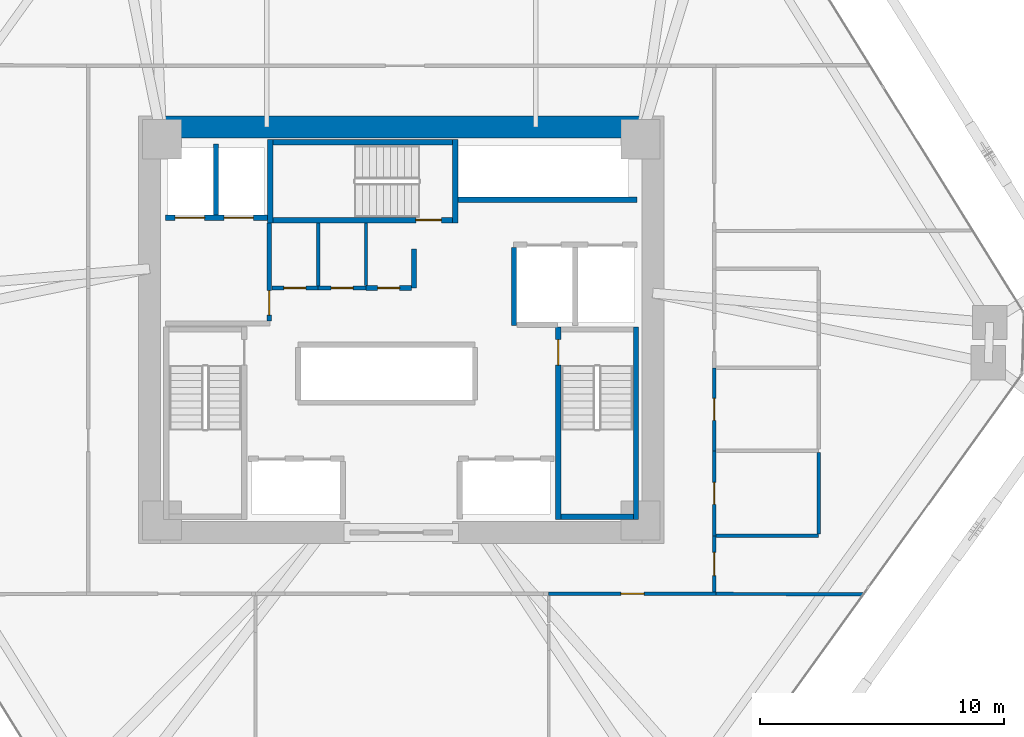
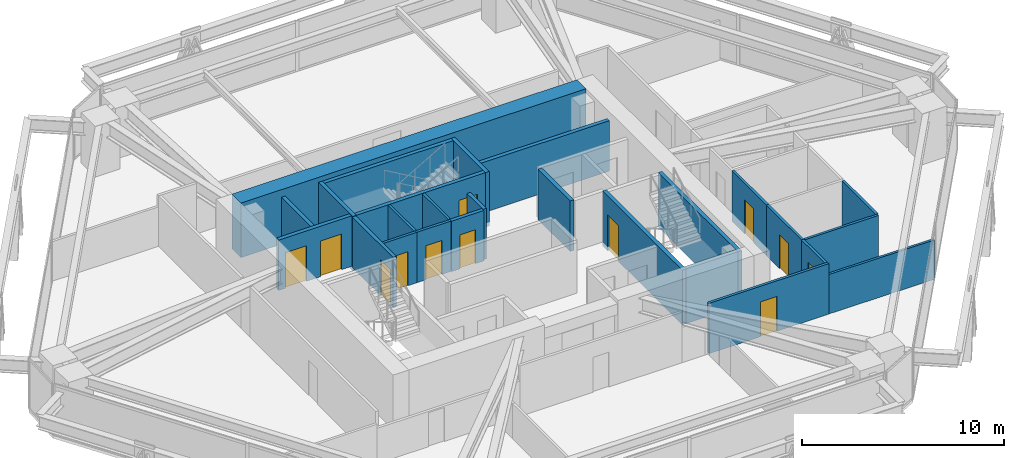
# One storey, part 14 of 16: 26 walls, 12 doors, 12 openings.
"""IFC4 building model written with IfcOpenShell, lengths in metres."""

from ifc_helpers import new_model, si_unit, direction, frame, frame_2d, origin, place, context, subcontext, project, spatial, rectangle, extrude, source, transform, mapped, material, layer, layer_set, type_object, type_shapes, element, fill, save


model = new_model("IFC4")

# Units and contexts
model_context = context("Model", 3, precision=1e-05, world=origin(), true_north=direction((0.0, 1.0)))
body_context = subcontext(model_context, "Body", "Model", "MODEL_VIEW")
ifc_project = project(units=[si_unit("LENGTHUNIT", "METRE"), si_unit("AREAUNIT", "SQUARE_METRE"), si_unit("VOLUMEUNIT", "CUBIC_METRE"), si_unit("PLANEANGLEUNIT", "RADIAN"), si_unit("MASSUNIT", "GRAM", prefix="KILO")], contexts=[model_context])

# Site, building, storey
site_placement = place(None, origin())
site = spatial("IfcSite", under=ifc_project, at=site_placement, CompositionType="ELEMENT")
building_placement = place(site_placement, origin())
building = spatial("IfcBuilding", under=site, at=building_placement, Name="Durnholm Broadcast Tower", CompositionType="ELEMENT")
storey_placement = place(building_placement, frame((0.0, 0.0, 65.39990234375)))
storey = spatial("IfcBuildingStorey", under=building, at=storey_placement, Name="L16", CompositionType="ELEMENT", Elevation=65.39990234375)

# Wall
ifc_material_1 = material(Name="Concrete C70/85", Category="concrete")
ifc_layer_1 = layer(ifc_material_1, 0.89990234375)
ifc_layer_set_1 = layer_set([ifc_layer_1], Name="Concrete C70/85")
wall_type_1 = type_object("IfcWallType", Name="WALL-CW-900", PredefinedType="SHEAR", material=ifc_layer_set_1)
wall_1_placement = place(storey_placement, frame((-9.85009765625, 8.300048828125, 0.0), z_axis=(0.0, 0.0, 1.0), x_axis=(1.0, 0.0, 0.0)))
element("IfcWall", 1, at=wall_1_placement, inside=storey, type_object=wall_type_1, Name="L16 central core shear wall CW-N", PredefinedType="SHEAR", context=body_context, shape_type="SweptSolid", body=[
    extrude(rectangle(XDim=19.7001953125, YDim=0.89990234375, at=frame_2d((9.85009765625, 0.0))), origin(), (0.0, 0.0, 1.0), 3.300048828125),
])

# Wall, opening, door
ifc_material_2 = material(Name="Fire-Rated Gypsum Shaftwall", Category="concrete")
ifc_layer_2 = layer(ifc_material_2, 0.199951171875)
ifc_layer_set_2 = layer_set([ifc_layer_2], Name="Fire-Rated Gypsum Shaftwall")
wall_type_2 = type_object("IfcWallType", Name="WALL-LOB-200", PredefinedType="SOLIDWALL", material=ifc_layer_set_2)
wall_2_placement = place(storey_placement, frame((-5.39990234375, 0.35400390625, 0.0), z_axis=(0.0, 0.0, 1.0), x_axis=(0.0, 1.0, 0.0)))
wall_2 = element("IfcWall", 2, at=wall_2_placement, inside=storey, type_object=wall_type_2, Name="L16 Fire Service Access Elevator lobby east fire wall", PredefinedType="SOLIDWALL", context=body_context, shape_type="SweptSolid", body=[
    extrude(rectangle(XDim=4.02587890625, YDim=0.199951171875, at=frame_2d((2.012939453125, 0.0))), origin(), (0.0, 0.0, 1.0), 3.045166015625),
])
opening_1_placement = place(wall_2_placement, frame((0.24609375, 0.0, 0.0)))
opening_1 = element("IfcOpeningElement", 3, at=opening_1_placement, cuts=wall_2, Name="Opening DL-60L", PredefinedType="OPENING", context=body_context, shape_type="SweptSolid", body=[
    extrude(rectangle(XDim=1.0, YDim=2.14990234375, at=frame_2d((0.5, 1.074951171875))), frame((0.0, 0.10986328125, 0.0), z_axis=(0.0, -1.0, 0.0), x_axis=(1.0, 0.0, 0.0)), (0.0, 0.0, 1.0), 0.219970703125),
])
ifc_material_3 = material(Name="Fire-Rated Timber/Steel Door", Category="steel")
ifc_layer_3 = layer(ifc_material_3, 0.050048828125)
ifc_layer_set_3 = layer_set([ifc_layer_3], Name="Fire-Rated Timber/Steel Door")
door_type_1 = type_object("IfcDoorType", Name="DOOR-LOB-FD60-L", OperationType="NOTDEFINED", PredefinedType="DOOR", material=ifc_layer_set_3)
shared_shape_1 = source(origin(), body_context, "Body", "SweptSolid", [
    extrude(rectangle(XDim=1.0, YDim=2.14990234375, at=frame_2d((0.5, 1.074951171875))), frame((0.0, 0.02490234375, 0.0), z_axis=(0.0, -1.0, 0.0), x_axis=(1.0, 0.0, 0.0)), (0.0, 0.0, 1.0), 0.050048828125),
])
type_shapes(door_type_1, [shared_shape_1])
door_1_placement = place(opening_1_placement, origin())
door_1 = element("IfcDoor", 4, at=door_1_placement, inside=storey, type_object=door_type_1, Name="L16 Fire Service Access Elevator lobby smoke door", OperationType="SINGLE_SWING_LEFT", OverallHeight=2.14990234375, OverallWidth=1.0, PredefinedType="DOOR", context=body_context, shape_type="MappedRepresentation", body=[
    mapped(shared_shape_1, transform((0.0, 0.0, 0.0), x_axis=(1.0, 0.0, 0.0), y_axis=(0.0, 1.0, 0.0), z_axis=(0.0, 0.0, 1.0), scale=1.0)),
])
fill(opening_1, door_1)

# Wall
wall_3_placement = place(storey_placement, frame((0.52001953125, 3.300048828125, 0.0), z_axis=(0.0, 0.0, 1.0), x_axis=(0.0, -1.0, 0.0)))
element("IfcWall", 5, at=wall_3_placement, inside=storey, type_object=wall_type_2, Name="L16 Core Telecom Patch Room corridor partition", PredefinedType="SOLIDWALL", context=body_context, shape_type="SweptSolid", body=[
    extrude(rectangle(XDim=1.590087890625, YDim=0.199951171875, at=frame_2d((0.794921875, 0.0))), origin(), (0.0, 0.0, 1.0), 3.045166015625),
])

# Wall, opening, door
wall_4_placement = place(storey_placement, frame((0.416015625, 1.7099609375, 0.0), z_axis=(0.0, 0.0, 1.0), x_axis=(-1.0, 0.0, 0.0)))
wall_4 = element("IfcWall", 6, at=wall_4_placement, inside=storey, type_object=wall_type_2, Name="L16 Core Telecom Patch Room corridor partition", PredefinedType="SOLIDWALL", context=body_context, shape_type="SweptSolid", body=[
    extrude(rectangle(XDim=1.85595703125, YDim=0.199951171875, at=frame_2d((0.927978515625, 0.0))), origin(), (0.0, 0.0, 1.0), 3.045166015625),
])
opening_2_placement = place(wall_4_placement, frame((0.47802734375, 0.0, 0.0)))
opening_2 = element("IfcOpeningElement", 7, at=opening_2_placement, cuts=wall_4, Name="Opening DC-60L", PredefinedType="OPENING", context=body_context, shape_type="SweptSolid", body=[
    extrude(rectangle(XDim=0.89990234375, YDim=2.050048828125, at=frame_2d((0.449951171875, 1.02490234375))), frame((0.0, 0.10986328125, 0.0), z_axis=(0.0, -1.0, 0.0), x_axis=(1.0, 0.0, 0.0)), (0.0, 0.0, 1.0), 0.219970703125),
])
ifc_material_4 = material(Name="Fire-Rated Core Service Door", Category="steel")
ifc_layer_4 = layer(ifc_material_4, 0.050048828125)
ifc_layer_set_4 = layer_set([ifc_layer_4], Name="Fire-Rated Core Service Door")
door_type_2 = type_object("IfcDoorType", Name="DOOR-CORE-FD60-L", OperationType="NOTDEFINED", PredefinedType="DOOR", material=ifc_layer_set_4)
shared_shape_2 = source(origin(), body_context, "Body", "SweptSolid", [
    extrude(rectangle(XDim=0.89990234375, YDim=2.050048828125, at=frame_2d((0.449951171875, 1.02490234375))), frame((0.0, 0.02490234375, 0.0), z_axis=(0.0, -1.0, 0.0), x_axis=(1.0, 0.0, 0.0)), (0.0, 0.0, 1.0), 0.050048828125),
])
type_shapes(door_type_2, [shared_shape_2])
door_2_placement = place(opening_2_placement, origin())
door_2 = element("IfcDoor", 8, at=door_2_placement, inside=storey, type_object=door_type_2, Name="L16 Core Telecom Patch Room entrance door", OperationType="SINGLE_SWING_LEFT", OverallHeight=2.050048828125, OverallWidth=0.89990234375, PredefinedType="DOOR", context=body_context, shape_type="MappedRepresentation", body=[
    mapped(shared_shape_2, transform((0.0, 0.0, 0.0), x_axis=(1.0, 0.0, 0.0), y_axis=(0.0, 1.0, 0.0), z_axis=(0.0, 0.0, 1.0), scale=1.0)),
])
fill(opening_2, door_2)

# Walls
ifc_material_5 = material(Name="Gypsum Metal Stud Partition", Category="concrete")
ifc_layer_5 = layer(ifc_material_5, 0.135009765625)
ifc_layer_set_5 = layer_set([ifc_layer_5], Name="Gypsum Metal Stud Partition")
wall_type_3 = type_object("IfcWallType", Name="WALL-PART-135", PredefinedType="PARTITIONING", material=ifc_layer_set_5)
wall_5_placement = place(storey_placement, frame((-3.39990234375, 4.375, 0.0), z_axis=(0.0, 0.0, 1.0), x_axis=(0.0, -1.0, 0.0)))
element("IfcWall", 9, at=wall_5_placement, inside=storey, type_object=wall_type_3, Name="L16 room dividing partition 1.2", PredefinedType="PARTITIONING", context=body_context, shape_type="SweptSolid", body=[
    extrude(rectangle(XDim=2.5859375, YDim=0.135009765625, at=frame_2d((1.29296875, 0.0))), origin(), (0.0, 0.0, 1.0), 3.045166015625),
])
wall_6_placement = place(storey_placement, frame((-1.43994140625, 4.375, 0.0), z_axis=(0.0, 0.0, 1.0), x_axis=(0.0, -1.0, 0.0)))
element("IfcWall", 10, at=wall_6_placement, inside=storey, type_object=wall_type_3, Name="L16 room dividing partition 2.3", PredefinedType="PARTITIONING", context=body_context, shape_type="SweptSolid", body=[
    extrude(rectangle(XDim=2.56103515625, YDim=0.135009765625, at=frame_2d((1.280517578125, 0.0))), origin(), (0.0, 0.0, 1.0), 3.045166015625),
])
wall_7_placement = place(storey_placement, frame((12.889892578125, -10.810302734375, 0.0), z_axis=(0.0, 0.0, 1.0), x_axis=(0.999992607823, -0.003845035728, 0.0)))
element("IfcWall", 11, at=wall_7_placement, inside=storey, type_object=wall_type_3, Name="L16 room dividing partition 10.12", PredefinedType="PARTITIONING", context=body_context, shape_type="SweptSolid", body=[
    extrude(rectangle(XDim=6.031982421875, YDim=0.135009765625, at=frame_2d((3.01611328125, 0.0))), origin(), (0.0, 0.0, 1.0), 2.380126953125),
])

# Wall, opening, door
ifc_material_6 = material(Name="Acoustic Gypsum Stud Partition", Category="concrete")
ifc_layer_6 = layer(ifc_material_6, 0.14990234375)
ifc_layer_set_6 = layer_set([ifc_layer_6], Name="Acoustic Gypsum Stud Partition")
wall_type_4 = type_object("IfcWallType", Name="WALL-PART-150", PredefinedType="PARTITIONING", material=ifc_layer_set_6)
wall_8_placement = place(storey_placement, frame((-3.39990234375, 1.7099609375, 0.0), z_axis=(0.0, 0.0, 1.0), x_axis=(-1.0, 0.0, 0.0)))
wall_8 = element("IfcWall", 12, at=wall_8_placement, inside=storey, type_object=wall_type_4, Name="L16 Core Copy and Print Closet corridor partition", PredefinedType="PARTITIONING", context=body_context, shape_type="SweptSolid", body=[
    extrude(rectangle(XDim=1.89599609375, YDim=0.14990234375, at=frame_2d((0.947998046875, 0.0))), origin(), (0.0, 0.0, 1.0), 3.045166015625),
])
opening_3_placement = place(wall_8_placement, frame((0.498046875, 0.0, 0.0)))
opening_3 = element("IfcOpeningElement", 13, at=opening_3_placement, cuts=wall_8, Name="Opening DC-60L", PredefinedType="OPENING", context=body_context, shape_type="SweptSolid", body=[
    extrude(rectangle(XDim=0.89990234375, YDim=2.050048828125, at=frame_2d((0.449951171875, 1.02490234375))), frame((0.0, 0.0849609375, 0.0), z_axis=(0.0, -1.0, 0.0), x_axis=(1.0, 0.0, 0.0)), (0.0, 0.0, 1.0), 0.169921875),
])
door_3_placement = place(opening_3_placement, origin())
door_3 = element("IfcDoor", 14, at=door_3_placement, inside=storey, type_object=door_type_2, Name="L16 Core Copy and Print Closet entrance door", OperationType="SINGLE_SWING_LEFT", OverallHeight=2.050048828125, OverallWidth=0.89990234375, PredefinedType="DOOR", context=body_context, shape_type="MappedRepresentation", body=[
    mapped(shared_shape_2, transform((0.0, 0.0, 0.0), x_axis=(1.0, 0.0, 0.0), y_axis=(0.0, 1.0, 0.0), z_axis=(0.0, 0.0, 1.0), scale=1.0)),
])
fill(opening_3, door_3)

wall_9_placement = place(storey_placement, frame((-1.43994140625, 1.7099609375, 0.0), z_axis=(0.0, 0.0, 1.0), x_axis=(-1.0, 0.0, 0.0)))
wall_9 = element("IfcWall", 15, at=wall_9_placement, inside=storey, type_object=wall_type_4, Name="L16 Core Janitor Supply Closet corridor partition", PredefinedType="PARTITIONING", context=body_context, shape_type="SweptSolid", body=[
    extrude(rectangle(XDim=1.9599609375, YDim=0.14990234375, at=frame_2d((0.97998046875, 0.0))), origin(), (0.0, 0.0, 1.0), 3.045166015625),
])
opening_4_placement = place(wall_9_placement, frame((0.530029296875, 0.0, 0.0)))
opening_4 = element("IfcOpeningElement", 16, at=opening_4_placement, cuts=wall_9, Name="Opening DC-60R", PredefinedType="OPENING", context=body_context, shape_type="SweptSolid", body=[
    extrude(rectangle(XDim=0.89990234375, YDim=2.050048828125, at=frame_2d((0.449951171875, 1.02490234375))), frame((0.0, 0.0849609375, 0.0), z_axis=(0.0, -1.0, 0.0), x_axis=(1.0, 0.0, 0.0)), (0.0, 0.0, 1.0), 0.169921875),
])
ifc_layer_7 = layer(ifc_material_4, 0.050048828125)
ifc_layer_set_7 = layer_set([ifc_layer_7], Name="Fire-Rated Core Service Door")
door_type_3 = type_object("IfcDoorType", Name="DOOR-CORE-FD60-R", OperationType="NOTDEFINED", PredefinedType="DOOR", material=ifc_layer_set_7)
shared_shape_3 = source(origin(), body_context, "Body", "SweptSolid", [
    extrude(rectangle(XDim=0.89990234375, YDim=2.050048828125, at=frame_2d((0.449951171875, 1.02490234375))), frame((0.0, 0.02490234375, 0.0), z_axis=(0.0, -1.0, 0.0), x_axis=(1.0, 0.0, 0.0)), (0.0, 0.0, 1.0), 0.050048828125),
])
type_shapes(door_type_3, [shared_shape_3])
door_4_placement = place(opening_4_placement, origin())
door_4 = element("IfcDoor", 17, at=door_4_placement, inside=storey, type_object=door_type_3, Name="L16 Core Janitor Supply Closet entrance door", OperationType="SINGLE_SWING_RIGHT", OverallHeight=2.050048828125, OverallWidth=0.89990234375, PredefinedType="DOOR", context=body_context, shape_type="MappedRepresentation", body=[
    mapped(shared_shape_3, transform((0.0, 0.0, 0.0), x_axis=(1.0, 0.0, 0.0), y_axis=(0.0, 1.0, 0.0), z_axis=(0.0, 0.0, 1.0), scale=1.0)),
])
fill(opening_4, door_4)

wall_10_placement = place(storey_placement, frame((6.0400390625, -10.81005859375, 0.0), z_axis=(0.0, 0.0, 1.0), x_axis=(1.0, 0.0, 0.0)))
wall_10 = element("IfcWall", 18, at=wall_10_placement, inside=storey, type_object=wall_type_4, Name="L16 Open Plan Broadcast Workspace 5 corridor partition", PredefinedType="PARTITIONING", context=body_context, shape_type="SweptSolid", body=[
    extrude(rectangle(XDim=6.849853515625, YDim=0.14990234375, at=frame_2d((3.4248046875, 0.0))), origin(), (0.0, 0.0, 1.0), 3.045166015625),
])
opening_5_placement = place(wall_10_placement, frame((2.949951171875, 0.0, 0.0)))
opening_5 = element("IfcOpeningElement", 19, at=opening_5_placement, cuts=wall_10, Name="Opening DR-95R", PredefinedType="OPENING", context=body_context, shape_type="SweptSolid", body=[
    extrude(rectangle(XDim=0.949951171875, YDim=2.10009765625, at=frame_2d((0.47509765625, 1.050048828125))), frame((0.0, 0.0849609375, 0.0), z_axis=(0.0, -1.0, 0.0), x_axis=(1.0, 0.0, 0.0)), (0.0, 0.0, 1.0), 0.169921875),
])
ifc_material_7 = material(Name="Acoustic Oak Veneer Timber Door", Category="wood")
ifc_layer_8 = layer(ifc_material_7, 0.050048828125)
ifc_layer_set_8 = layer_set([ifc_layer_8], Name="Acoustic Oak Veneer Timber Door")
door_type_4 = type_object("IfcDoorType", Name="DOOR-RM-950R", OperationType="NOTDEFINED", PredefinedType="DOOR", material=ifc_layer_set_8)
shared_shape_4 = source(origin(), body_context, "Body", "SweptSolid", [
    extrude(rectangle(XDim=0.949951171875, YDim=2.10009765625, at=frame_2d((0.47509765625, 1.050048828125))), frame((0.0, 0.02490234375, 0.0), z_axis=(0.0, -1.0, 0.0), x_axis=(1.0, 0.0, 0.0)), (0.0, 0.0, 1.0), 0.050048828125),
])
type_shapes(door_type_4, [shared_shape_4])
door_5_placement = place(opening_5_placement, origin())
door_5 = element("IfcDoor", 20, at=door_5_placement, inside=storey, type_object=door_type_4, Name="L16 Open Plan Broadcast Workspace 5 entrance door", OperationType="SINGLE_SWING_RIGHT", OverallHeight=2.10009765625, OverallWidth=0.949951171875, PredefinedType="DOOR", context=body_context, shape_type="MappedRepresentation", body=[
    mapped(shared_shape_4, transform((0.0, 0.0, 0.0), x_axis=(1.0, 0.0, 0.0), y_axis=(0.0, 1.0, 0.0), z_axis=(0.0, 0.0, 1.0), scale=1.0)),
])
fill(opening_5, door_5)

wall_11_placement = place(storey_placement, frame((12.81005859375, -10.73095703125, 0.0), z_axis=(0.0, 0.0, 1.0), x_axis=(0.0, 1.0, 0.0)))
wall_11 = element("IfcWall", 21, at=wall_11_placement, inside=storey, type_object=wall_type_4, Name="L16 Open Plan Broadcast Workspace 1 corridor partition", PredefinedType="PARTITIONING", context=body_context, shape_type="SweptSolid", body=[
    extrude(rectangle(XDim=2.291015625, YDim=0.14990234375, at=frame_2d((1.1455078125, 0.0))), origin(), (0.0, 0.0, 1.0), 3.045166015625),
])
opening_6_placement = place(wall_11_placement, frame((0.67041015625, 0.0, 0.0)))
opening_6 = element("IfcOpeningElement", 22, at=opening_6_placement, cuts=wall_11, Name="Opening DR-95R", PredefinedType="OPENING", context=body_context, shape_type="SweptSolid", body=[
    extrude(rectangle(XDim=0.949951171875, YDim=2.10009765625, at=frame_2d((0.47509765625, 1.050048828125))), frame((0.0, 0.0849609375, 0.0), z_axis=(0.0, -1.0, 0.0), x_axis=(1.0, 0.0, 0.0)), (0.0, 0.0, 1.0), 0.169921875),
])
door_6_placement = place(opening_6_placement, origin())
door_6 = element("IfcDoor", 23, at=door_6_placement, inside=storey, type_object=door_type_4, Name="L16 Open Plan Broadcast Workspace 1 entrance door", OperationType="SINGLE_SWING_RIGHT", OverallHeight=2.10009765625, OverallWidth=0.949951171875, PredefinedType="DOOR", context=body_context, shape_type="MappedRepresentation", body=[
    mapped(shared_shape_4, transform((0.0, 0.0, 0.0), x_axis=(1.0, 0.0, 0.0), y_axis=(0.0, 1.0, 0.0), z_axis=(0.0, 0.0, 1.0), scale=1.0)),
])
fill(opening_6, door_6)

# Wall, openings, doors
ifc_material_8 = material(Name="Concrete Blockwork C30/37", Category="masonry")
ifc_layer_9 = layer(ifc_material_8, 0.219970703125)
ifc_layer_set_9 = layer_set([ifc_layer_9], Name="Concrete Blockwork C30/37")
wall_type_5 = type_object("IfcWallType", Name="WALL-SHAFT-220", PredefinedType="SOLIDWALL", material=ifc_layer_set_9)
wall_12_placement = place(storey_placement, frame((-9.64990234375, 4.580078125, 0.0), z_axis=(0.0, 0.0, 1.0), x_axis=(1.0, 0.0, 0.0)))
wall_12 = element("IfcWall", 24, at=wall_12_placement, inside=storey, type_object=wall_type_5, Name="L16 FSAE hoistway front fire wall", PredefinedType="SOLIDWALL", context=body_context, shape_type="SweptSolid", body=[
    extrude(rectangle(XDim=4.1748046875, YDim=0.219970703125, at=frame_2d((2.08740234375, 0.0))), origin(), (0.0, 0.0, 1.0), 3.045166015625),
])
opening_7_placement = place(wall_12_placement, frame((0.39990234375, 0.0, 0.0)))
opening_7 = element("IfcOpeningElement", 25, at=opening_7_placement, cuts=wall_12, Name="Opening LD-FSAE-2", PredefinedType="OPENING", context=body_context, shape_type="SweptSolid", body=[
    extrude(rectangle(XDim=1.199951171875, YDim=2.14990234375, at=frame_2d((0.60009765625, 1.074951171875))), frame((0.0, 0.1201171875, 0.0), z_axis=(0.0, -1.0, 0.0), x_axis=(1.0, 0.0, 0.0)), (0.0, 0.0, 1.0), 0.239990234375),
])
opening_8_placement = place(wall_12_placement, frame((2.39990234375, 0.0, 0.0)))
opening_8 = element("IfcOpeningElement", 26, at=opening_8_placement, cuts=wall_12, Name="Opening LD-FSAE-1", PredefinedType="OPENING", context=body_context, shape_type="SweptSolid", body=[
    extrude(rectangle(XDim=1.199951171875, YDim=2.14990234375, at=frame_2d((0.60009765625, 1.074951171875))), frame((0.0, 0.1201171875, 0.0), z_axis=(0.0, -1.0, 0.0), x_axis=(1.0, 0.0, 0.0)), (0.0, 0.0, 1.0), 0.239990234375),
])
ifc_material_9 = material(Name="Fire Service Access Sliding Landing Door", Category="steel")
ifc_layer_10 = layer(ifc_material_9, 0.050048828125)
ifc_layer_set_10 = layer_set([ifc_layer_10], Name="Fire Service Access Sliding Landing Door")
door_type_5 = type_object("IfcDoorType", Name="DOOR-LIFT-FSAE", OperationType="DOUBLE_DOOR_SLIDING", PredefinedType="DOOR", material=ifc_layer_set_10)
shared_shape_5 = source(origin(), body_context, "Body", "SweptSolid", [
    extrude(rectangle(XDim=1.199951171875, YDim=2.14990234375, at=frame_2d((0.60009765625, 1.074951171875))), frame((0.0, 0.02490234375, 0.0), z_axis=(0.0, -1.0, 0.0), x_axis=(1.0, 0.0, 0.0)), (0.0, 0.0, 1.0), 0.050048828125),
])
type_shapes(door_type_5, [shared_shape_5])
door_7_placement = place(opening_7_placement, origin())
door_7 = element("IfcDoor", 27, at=door_7_placement, inside=storey, type_object=door_type_5, Name="L16 Fire Service Access Elevator FSAE-2 sliding landing door", OperationType="DOUBLE_DOOR_SLIDING", OverallHeight=2.14990234375, OverallWidth=1.199951171875, PredefinedType="DOOR", context=body_context, shape_type="MappedRepresentation", body=[
    mapped(shared_shape_5, transform((0.0, 0.0, 0.0), x_axis=(1.0, 0.0, 0.0), y_axis=(0.0, 1.0, 0.0), z_axis=(0.0, 0.0, 1.0), scale=1.0)),
])
fill(opening_7, door_7)
door_8_placement = place(opening_8_placement, origin())
door_8 = element("IfcDoor", 28, at=door_8_placement, inside=storey, type_object=door_type_5, Name="L16 Fire Service Access Elevator FSAE-1 sliding landing door", OperationType="DOUBLE_DOOR_SLIDING", OverallHeight=2.14990234375, OverallWidth=1.199951171875, PredefinedType="DOOR", context=body_context, shape_type="MappedRepresentation", body=[
    mapped(shared_shape_5, transform((0.0, 0.0, 0.0), x_axis=(1.0, 0.0, 0.0), y_axis=(0.0, 1.0, 0.0), z_axis=(0.0, 0.0, 1.0), scale=1.0)),
])
fill(opening_8, door_8)

# Walls
wall_13_placement = place(storey_placement, frame((-7.580078125, 4.694091796875, 0.0), z_axis=(0.0, 0.0, 1.0), x_axis=(0.0, 1.0, 0.0)))
element("IfcWall", 29, at=wall_13_placement, inside=storey, type_object=wall_type_5, Name="L16 FSAE shaft divider wall", PredefinedType="SOLIDWALL", context=body_context, shape_type="SweptSolid", body=[
    extrude(rectangle(XDim=2.906005859375, YDim=0.219970703125, at=frame_2d((1.453125, 0.0))), origin(), (0.0, 0.0, 1.0), 3.045166015625),
])
wall_14_placement = place(storey_placement, frame((4.6201171875, 0.179931640625, 0.0), z_axis=(0.0, 0.0, 1.0), x_axis=(0.0, 1.0, 0.0)))
element("IfcWall", 30, at=wall_14_placement, inside=storey, type_object=wall_type_5, Name="L16 freight service lift SVL-2 west wall", PredefinedType="SOLIDWALL", context=body_context, shape_type="SweptSolid", body=[
    extrude(rectangle(XDim=3.18603515625, YDim=0.219970703125, at=frame_2d((1.593017578125, 0.0))), origin(), (0.0, 0.0, 1.0), 3.045166015625),
])
wall_15_placement = place(storey_placement, frame((2.324951171875, 5.320068359375, 0.0), z_axis=(0.0, 0.0, 1.0), x_axis=(1.0, 0.0, 0.0)))
element("IfcWall", 31, at=wall_15_placement, inside=storey, type_object=wall_type_5, Name="L16 high-rise bank P3 south front wall", PredefinedType="SOLIDWALL", context=body_context, shape_type="SweptSolid", body=[
    extrude(rectangle(XDim=7.324951171875, YDim=0.219970703125, at=frame_2d((3.66259765625, 0.0))), origin(), (0.0, 0.0, 1.0), 3.045166015625),
])
ifc_material_10 = material(Name="Concrete C50/60", Category="concrete")
ifc_layer_11 = layer(ifc_material_10, 0.219970703125)
ifc_layer_set_11 = layer_set([ifc_layer_11], Name="Concrete C50/60")
wall_type_6 = type_object("IfcWallType", Name="WALL-SW-220", PredefinedType="SHEAR", material=ifc_layer_set_11)
wall_16_placement = place(storey_placement, frame((9.610107421875, -7.77001953125, -0.239990234375), z_axis=(0.0, 0.0, 1.0), x_axis=(0.0, 1.0, 0.0)))
element("IfcWall", 32, at=wall_16_placement, inside=storey, type_object=wall_type_6, Name="L16 stair ST-2 structural shaft wall E", PredefinedType="SHEAR", context=body_context, shape_type="SweptSolid", body=[
    extrude(rectangle(XDim=7.89013671875, YDim=0.219970703125, at=frame_2d((3.945068359375, 0.0))), origin(), (0.0, 0.0, 1.0), 3.300048828125),
])

# Wall, opening, door
wall_17_placement = place(storey_placement, frame((6.429931640625, 0.1201171875, -0.239990234375), z_axis=(0.0, 0.0, 1.0), x_axis=(0.0, -1.0, 0.0)))
wall_17 = element("IfcWall", 33, at=wall_17_placement, inside=storey, type_object=wall_type_6, Name="L16 stair ST-2 structural shaft wall W", PredefinedType="SHEAR", context=body_context, shape_type="SweptSolid", body=[
    extrude(rectangle(XDim=7.89013671875, YDim=0.219970703125, at=frame_2d((3.945068359375, 0.0))), origin(), (0.0, 0.0, 1.0), 3.300048828125),
])
opening_9_placement = place(wall_17_placement, frame((0.52001953125, 0.0, 0.0)))
opening_9 = element("IfcOpeningElement", 34, at=opening_9_placement, cuts=wall_17, Name="Opening DS-90R", PredefinedType="OPENING", context=body_context, shape_type="SweptSolid", body=[
    extrude(rectangle(XDim=1.050048828125, YDim=2.14990234375, at=frame_2d((0.52490234375, 1.074951171875))), frame((0.0, 0.1201171875, 0.0), z_axis=(0.0, -1.0, 0.0), x_axis=(1.0, 0.0, 0.0)), (0.0, 0.0, 1.0), 0.239990234375),
])
ifc_material_11 = material(Name="Fire-Rated Steel Door", Category="steel")
ifc_layer_12 = layer(ifc_material_11, 0.050048828125)
ifc_layer_set_12 = layer_set([ifc_layer_12], Name="Fire-Rated Steel Door")
door_type_6 = type_object("IfcDoorType", Name="DOOR-ST-FD90-R", OperationType="NOTDEFINED", PredefinedType="DOOR", material=ifc_layer_set_12)
shared_shape_6 = source(origin(), body_context, "Body", "SweptSolid", [
    extrude(rectangle(XDim=1.050048828125, YDim=2.14990234375, at=frame_2d((0.52490234375, 1.074951171875))), frame((0.0, 0.02490234375, 0.0), z_axis=(0.0, -1.0, 0.0), x_axis=(1.0, 0.0, 0.0)), (0.0, 0.0, 1.0), 0.050048828125),
])
type_shapes(door_type_6, [shared_shape_6])
door_9_placement = place(opening_9_placement, origin())
door_9 = element("IfcDoor", 35, at=door_9_placement, inside=storey, type_object=door_type_6, Name="L16 exit stair ST-2 fire door", OperationType="SINGLE_SWING_RIGHT", OverallHeight=2.14990234375, OverallWidth=1.050048828125, PredefinedType="DOOR", context=body_context, shape_type="MappedRepresentation", body=[
    mapped(shared_shape_6, transform((0.0, 0.0, 0.0), x_axis=(1.0, 0.0, 0.0), y_axis=(0.0, 1.0, 0.0), z_axis=(0.0, 0.0, 1.0), scale=1.0)),
])
fill(opening_9, door_9)

# Walls
wall_18_placement = place(storey_placement, frame((6.5400390625, -7.659912109375, -0.239990234375), z_axis=(0.0, 0.0, 1.0), x_axis=(1.0, 0.0, 0.0)))
element("IfcWall", 36, at=wall_18_placement, inside=storey, type_object=wall_type_6, Name="L16 stair ST-2 structural shaft wall S", PredefinedType="SHEAR", context=body_context, shape_type="SweptSolid", body=[
    extrude(rectangle(XDim=2.9599609375, YDim=0.219970703125, at=frame_2d((1.47998046875, 0.0))), origin(), (0.0, 0.0, 1.0), 3.300048828125),
])
for number, where, z_axis, x_axis, name in (
    (37, (2.2099609375, 4.3798828125, -0.239990234375), (0.0, 0.0, 1.0), (0.0, 1.0, 0.0), "L16 stair ST-3 structural shaft wall E"),
    (38, (-5.360107421875, 7.780029296875, -0.239990234375), (0.0, 0.0, 1.0), (0.0, -1.0, 0.0), "L16 stair ST-3 structural shaft wall W"),
):
    element("IfcWall", number, at=place(storey_placement, frame(where, z_axis=z_axis, x_axis=x_axis)), inside=storey, type_object=wall_type_6, Name=name, PredefinedType="SHEAR", context=body_context, shape_type="SweptSolid", body=[
        extrude(rectangle(XDim=3.400146484375, YDim=0.219970703125, at=frame_2d((1.7001953125, 0.0))), origin(), (0.0, 0.0, 1.0), 3.300048828125),
    ])

# Wall, opening, door
wall_19_placement = place(storey_placement, frame((-5.25, 4.489990234375, -0.239990234375), z_axis=(0.0, 0.0, 1.0), x_axis=(1.0, 0.0, 0.0)))
wall_19 = element("IfcWall", 39, at=wall_19_placement, inside=storey, type_object=wall_type_6, Name="L16 stair ST-3 structural shaft wall S", PredefinedType="SHEAR", context=body_context, shape_type="SweptSolid", body=[
    extrude(rectangle(XDim=7.35009765625, YDim=0.219970703125, at=frame_2d((3.675048828125, 0.0))), origin(), (0.0, 0.0, 1.0), 3.300048828125),
])
opening_10_placement = place(wall_19_placement, frame((5.85009765625, 0.0, 0.0)))
opening_10 = element("IfcOpeningElement", 40, at=opening_10_placement, cuts=wall_19, Name="Opening DS-90L", PredefinedType="OPENING", context=body_context, shape_type="SweptSolid", body=[
    extrude(rectangle(XDim=1.050048828125, YDim=2.14990234375, at=frame_2d((0.52490234375, 1.074951171875))), frame((0.0, 0.1201171875, 0.0), z_axis=(0.0, -1.0, 0.0), x_axis=(1.0, 0.0, 0.0)), (0.0, 0.0, 1.0), 0.239990234375),
])
ifc_layer_13 = layer(ifc_material_11, 0.050048828125)
ifc_layer_set_13 = layer_set([ifc_layer_13], Name="Fire-Rated Steel Door")
door_type_7 = type_object("IfcDoorType", Name="DOOR-ST-FD90-L", OperationType="NOTDEFINED", PredefinedType="DOOR", material=ifc_layer_set_13)
shared_shape_7 = source(origin(), body_context, "Body", "SweptSolid", [
    extrude(rectangle(XDim=1.050048828125, YDim=2.14990234375, at=frame_2d((0.52490234375, 1.074951171875))), frame((0.0, 0.02490234375, 0.0), z_axis=(0.0, -1.0, 0.0), x_axis=(1.0, 0.0, 0.0)), (0.0, 0.0, 1.0), 0.050048828125),
])
type_shapes(door_type_7, [shared_shape_7])
door_10_placement = place(opening_10_placement, origin())
door_10 = element("IfcDoor", 41, at=door_10_placement, inside=storey, type_object=door_type_7, Name="L16 exit stair ST-3 fire door", OperationType="SINGLE_SWING_LEFT", OverallHeight=2.14990234375, OverallWidth=1.050048828125, PredefinedType="DOOR", context=body_context, shape_type="MappedRepresentation", body=[
    mapped(shared_shape_7, transform((0.0, 0.0, 0.0), x_axis=(1.0, 0.0, 0.0), y_axis=(0.0, 1.0, 0.0), z_axis=(0.0, 0.0, 1.0), scale=1.0)),
])
fill(opening_10, door_10)

# Wall
wall_20_placement = place(storey_placement, frame((2.10009765625, 7.669921875, -0.239990234375), z_axis=(0.0, 0.0, 1.0), x_axis=(-1.0, 0.0, 0.0)))
element("IfcWall", 42, at=wall_20_placement, inside=storey, type_object=wall_type_6, Name="L16 stair ST-3 structural shaft wall N", PredefinedType="SHEAR", context=body_context, shape_type="SweptSolid", body=[
    extrude(rectangle(XDim=7.35009765625, YDim=0.219970703125, at=frame_2d((3.675048828125, 0.0))), origin(), (0.0, 0.0, 1.0), 3.300048828125),
])

# Wall, opening, door
ifc_material_12 = material(Name="Moisture-Resistant Tile Partition", Category="concrete")
ifc_layer_14 = layer(ifc_material_12, 0.139892578125)
ifc_layer_set_14 = layer_set([ifc_layer_14], Name="Moisture-Resistant Tile Partition")
wall_type_7 = type_object("IfcWallType", Name="WALL-WC-140", PredefinedType="PARTITIONING", material=ifc_layer_set_14)
wall_21_placement = place(storey_placement, frame((12.81005859375, -8.43994140625, 0.0), z_axis=(0.0, 0.0, 1.0), x_axis=(0.0, 1.0, 0.0)))
wall_21 = element("IfcWall", 43, at=wall_21_placement, inside=storey, type_object=wall_type_7, Name="L16 Men's Restroom corridor partition", PredefinedType="PARTITIONING", context=body_context, shape_type="SweptSolid", body=[
    extrude(rectangle(XDim=3.47998046875, YDim=0.139892578125, at=frame_2d((1.739990234375, 0.0))), origin(), (0.0, 0.0, 1.0), 3.045166015625),
])
opening_11_placement = place(wall_21_placement, frame((1.2900390625, 0.0, 0.0)))
opening_11 = element("IfcOpeningElement", 44, at=opening_11_placement, cuts=wall_21, Name="Opening DW-90R", PredefinedType="OPENING", context=body_context, shape_type="SweptSolid", body=[
    extrude(rectangle(XDim=0.89990234375, YDim=2.050048828125, at=frame_2d((0.449951171875, 1.02490234375))), frame((0.0, 0.080078125, 0.0), z_axis=(0.0, -1.0, 0.0), x_axis=(1.0, 0.0, 0.0)), (0.0, 0.0, 1.0), 0.159912109375),
])
ifc_material_13 = material(Name="Laminate Restroom Door", Category="steel")
ifc_layer_15 = layer(ifc_material_13, 0.050048828125)
ifc_layer_set_15 = layer_set([ifc_layer_15], Name="Laminate Restroom Door")
door_type_8 = type_object("IfcDoorType", Name="DOOR-WC-900R", OperationType="NOTDEFINED", PredefinedType="DOOR", material=ifc_layer_set_15)
shared_shape_8 = source(origin(), body_context, "Body", "SweptSolid", [
    extrude(rectangle(XDim=0.89990234375, YDim=2.050048828125, at=frame_2d((0.449951171875, 1.02490234375))), frame((0.0, 0.02490234375, 0.0), z_axis=(0.0, -1.0, 0.0), x_axis=(1.0, 0.0, 0.0)), (0.0, 0.0, 1.0), 0.050048828125),
])
type_shapes(door_type_8, [shared_shape_8])
door_11_placement = place(opening_11_placement, origin())
door_11 = element("IfcDoor", 45, at=door_11_placement, inside=storey, type_object=door_type_8, Name="L16 Men's Restroom entrance door", OperationType="SINGLE_SWING_RIGHT", OverallHeight=2.050048828125, OverallWidth=0.89990234375, PredefinedType="DOOR", context=body_context, shape_type="MappedRepresentation", body=[
    mapped(shared_shape_8, transform((0.0, 0.0, 0.0), x_axis=(1.0, 0.0, 0.0), y_axis=(0.0, 1.0, 0.0), z_axis=(0.0, 0.0, 1.0), scale=1.0)),
])
fill(opening_11, door_11)

wall_22_placement = place(storey_placement, frame((12.81005859375, -4.9599609375, 0.0), z_axis=(0.0, 0.0, 1.0), x_axis=(0.0, 1.0, 0.0)))
wall_22 = element("IfcWall", 46, at=wall_22_placement, inside=storey, type_object=wall_type_7, Name="L16 Women's Restroom corridor partition", PredefinedType="PARTITIONING", context=body_context, shape_type="SweptSolid", body=[
    extrude(rectangle(XDim=3.39990234375, YDim=0.139892578125, at=frame_2d((1.699951171875, 0.0))), origin(), (0.0, 0.0, 1.0), 3.045166015625),
])
opening_12_placement = place(wall_22_placement, frame((1.25, 0.0, 0.0)))
opening_12 = element("IfcOpeningElement", 47, at=opening_12_placement, cuts=wall_22, Name="Opening DW-90L", PredefinedType="OPENING", context=body_context, shape_type="SweptSolid", body=[
    extrude(rectangle(XDim=0.89990234375, YDim=2.050048828125, at=frame_2d((0.449951171875, 1.02490234375))), frame((0.0, 0.080078125, 0.0), z_axis=(0.0, -1.0, 0.0), x_axis=(1.0, 0.0, 0.0)), (0.0, 0.0, 1.0), 0.159912109375),
])
ifc_layer_16 = layer(ifc_material_13, 0.050048828125)
ifc_layer_set_16 = layer_set([ifc_layer_16], Name="Laminate Restroom Door")
door_type_9 = type_object("IfcDoorType", Name="DOOR-WC-900L", OperationType="NOTDEFINED", PredefinedType="DOOR", material=ifc_layer_set_16)
shared_shape_9 = source(origin(), body_context, "Body", "SweptSolid", [
    extrude(rectangle(XDim=0.89990234375, YDim=2.050048828125, at=frame_2d((0.449951171875, 1.02490234375))), frame((0.0, 0.02490234375, 0.0), z_axis=(0.0, -1.0, 0.0), x_axis=(1.0, 0.0, 0.0)), (0.0, 0.0, 1.0), 0.050048828125),
])
type_shapes(door_type_9, [shared_shape_9])
door_12_placement = place(opening_12_placement, origin())
door_12 = element("IfcDoor", 48, at=door_12_placement, inside=storey, type_object=door_type_9, Name="L16 Women's Restroom entrance door", OperationType="SINGLE_SWING_LEFT", OverallHeight=2.050048828125, OverallWidth=0.89990234375, PredefinedType="DOOR", context=body_context, shape_type="MappedRepresentation", body=[
    mapped(shared_shape_9, transform((0.0, 0.0, 0.0), x_axis=(1.0, 0.0, 0.0), y_axis=(0.0, 1.0, 0.0), z_axis=(0.0, 0.0, 1.0), scale=1.0)),
])
fill(opening_12, door_12)

# Walls
wall_23_placement = place(storey_placement, frame((17.090087890625, -8.43994140625, 0.0), z_axis=(0.0, 0.0, 1.0), x_axis=(-1.0, 0.0, 0.0)))
element("IfcWall", 49, at=wall_23_placement, inside=storey, type_object=wall_type_7, Name="L16 room dividing partition 4.12", PredefinedType="PARTITIONING", context=body_context, shape_type="SweptSolid", body=[
    extrude(rectangle(XDim=4.201171875, YDim=0.139892578125, at=frame_2d((2.1005859375, 0.0))), origin(), (0.0, 0.0, 1.0), 3.045166015625),
])
wall_24_placement = place(storey_placement, frame((17.090087890625, -5.033935546875, 0.0), z_axis=(0.0, 0.0, 1.0), x_axis=(0.0, -1.0, 0.0)))
element("IfcWall", 50, at=wall_24_placement, inside=storey, type_object=wall_type_7, Name="L16 room dividing partition 4.12", PredefinedType="PARTITIONING", context=body_context, shape_type="SweptSolid", body=[
    extrude(rectangle(XDim=3.33203125, YDim=0.139892578125, at=frame_2d((1.666015625, 0.0))), origin(), (0.0, 0.0, 1.0), 3.045166015625),
])

save(model, "model.ifc")
